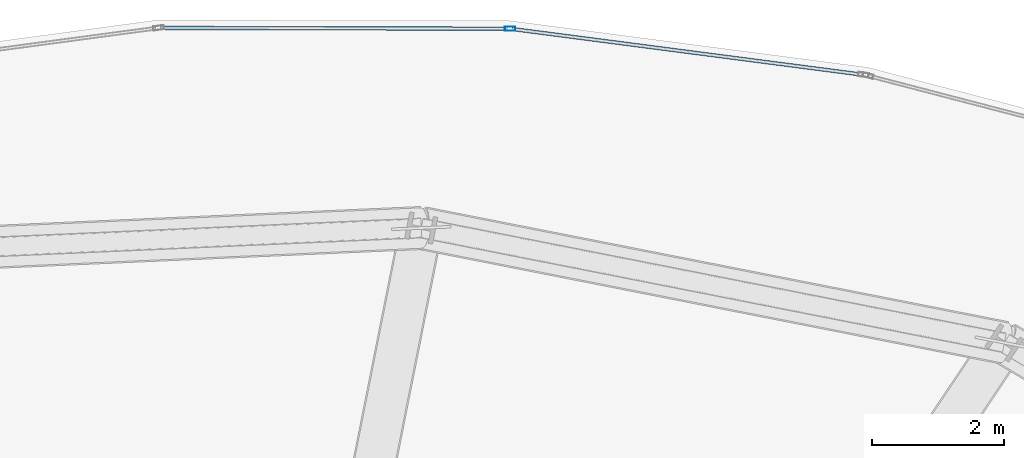
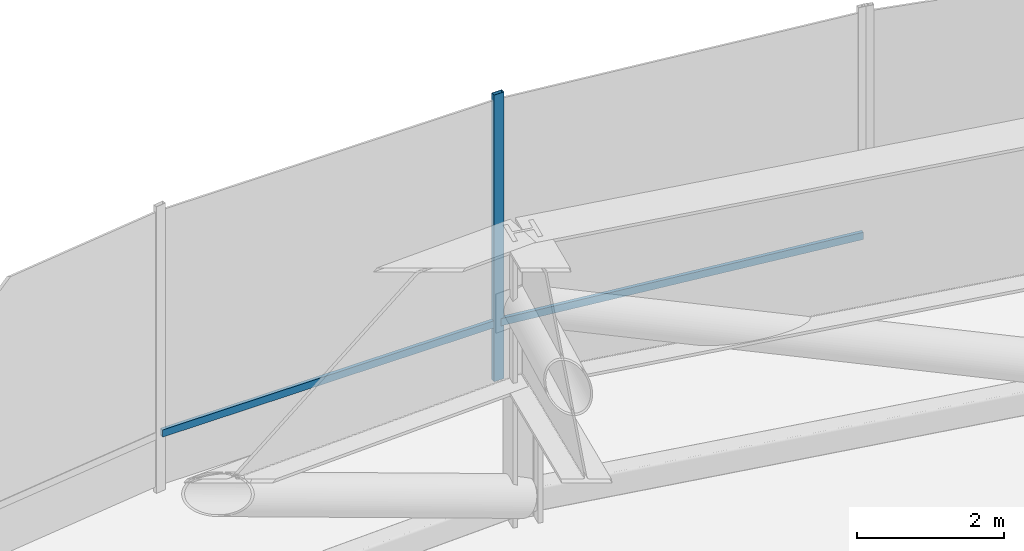
# One storey, part 25 of 33: 3 members, 1 element without a shape of its own.
"""IFC4 building model written with IfcOpenShell, lengths in metres."""

from ifc_helpers import new_model, si_unit, direction, frame, origin, origin_2d, place, context, subcontext, project, spatial, hollow_rectangle, extrude, source, transform, mapped, material, layer, layer_set, material_profile, profile_set, type_object, element, aggregate, save


model = new_model("IFC4")

# Units and contexts
model_context = context("Model", 3, precision=1e-05, world=origin(), true_north=direction((0.0, 1.0)))
body_context = subcontext(model_context, "Body", "Model", "MODEL_VIEW")
ifc_project = project(units=[si_unit("LENGTHUNIT", "METRE"), si_unit("AREAUNIT", "SQUARE_METRE"), si_unit("VOLUMEUNIT", "CUBIC_METRE"), si_unit("PLANEANGLEUNIT", "RADIAN"), si_unit("MASSUNIT", "GRAM", prefix="KILO"), si_unit("THERMODYNAMICTEMPERATUREUNIT", "KELVIN")], contexts=[model_context])

# Site, building, storey
site_placement = place(None, origin())
site = spatial("IfcSite", under=ifc_project, at=site_placement, CompositionType="ELEMENT")
building_placement = place(site_placement, origin())
building = spatial("IfcBuilding", under=site, at=building_placement, Name="Kethvar Cultural Tower", CompositionType="ELEMENT")
storey_placement = place(building_placement, frame((0.0, 0.0, 80.39990234375)))
storey = spatial("IfcBuildingStorey", under=building, at=storey_placement, Name="L19", CompositionType="ELEMENT", Elevation=80.39990234375)

# Curtain wall, members
ifc_material = material(Name="Aluminium 6063-T6", Category="aluminium")
ifc_layer = layer(ifc_material, 0.179931640625, Name="Aluminium 6063-T6", Category="aluminium")
ifc_layer_set = layer_set([ifc_layer], Name="Aluminium 6063-T6 (180 mm)")
curtain_wall_type = type_object("IfcCurtainWallType", Name="CW-SYS-02-Z1", PredefinedType="NOTDEFINED", material=ifc_layer_set)
curtain_wall_placement = place(storey_placement, origin())
curtain_wall = element("IfcCurtainWall", 1, at=curtain_wall_placement, inside=storey, type_object=curtain_wall_type, Name="L19 Curtain Wall Run 02", PredefinedType="NOTDEFINED")
ifc_material_profile_1 = material_profile(ifc_material, hollow_rectangle(XDim=0.06494140625, YDim=0.159912109375, WallThickness=0.0048828125, at=origin_2d()), Name="Aluminium 6063-T6 — RHS160x65x5")
ifc_profile_set_1 = profile_set([ifc_material_profile_1], Name="Aluminium 6063-T6 — RHS160x65x5")
member_type_1 = type_object("IfcMemberType", Name="CW-SYS-02-Z1-MUL", PredefinedType="MULLION", material=ifc_profile_set_1)
shared_shape_1 = source(origin(), body_context, "Body", "SweptSolid", [
    extrude(hollow_rectangle(XDim=0.06494140625, YDim=0.159912109375, WallThickness=0.0048828125, at=origin_2d()), origin(), (0.0, 0.0, 1.0), 4.760009765625),
])
member_1_placement = place(storey_placement, frame((52.364990234375, 52.034912109375, 0.0), z_axis=(0.0, 0.0, 1.0), x_axis=(-0.002129300078, -0.999997733038, 0.0)))
member_1 = element("IfcMember", 2, at=member_1_placement, type_object=member_type_1, Name="CW-L19-R02 Mullion 2", PredefinedType="MULLION", context=body_context, shape_type="MappedRepresentation", body=[
    mapped(shared_shape_1, transform((0.0, 0.0, 0.0), scale=1.0)),
])
ifc_material_profile_2 = material_profile(ifc_material, hollow_rectangle(XDim=0.054931640625, YDim=0.1201171875, WallThickness=0.00390625, at=origin_2d()), Name="Aluminium 6063-T6 — RHS120x55x4")
ifc_profile_set_2 = profile_set([ifc_material_profile_2], Name="Aluminium 6063-T6 — RHS120x55x4")
member_type_2 = type_object("IfcMemberType", Name="CW-SYS-02-Z1-TRN", PredefinedType="USERDEFINED", material=ifc_profile_set_2)
shared_shape_2 = source(origin(), body_context, "Body", "SweptSolid", [
    extrude(hollow_rectangle(XDim=0.054931640625, YDim=0.1201171875, WallThickness=0.00390625, at=origin_2d()), origin(), (0.0, 0.0, 1.0), 5.3427734375),
])
member_2_placement = place(storey_placement, frame((57.694091796875, 51.33935546875, 0.9501953125), z_axis=(-0.991614674699, 0.129229783412, 0.0), x_axis=(-0.129229783412, -0.991614674699, 0.0)))
member_2 = element("IfcMember", 3, at=member_2_placement, type_object=member_type_2, Name="CW-L19-R02 Transom 1", ObjectType="TRANSOM", PredefinedType="USERDEFINED", context=body_context, shape_type="MappedRepresentation", body=[
    mapped(shared_shape_2, transform((0.0, 0.0, 0.0), scale=1.0)),
])
shared_shape_3 = source(origin(), body_context, "Body", "SweptSolid", [
    extrude(hollow_rectangle(XDim=0.054931640625, YDim=0.1201171875, WallThickness=0.00390625, at=origin_2d()), origin(), (0.0, 0.0, 1.0), 5.23095703125),
])
member_3_placement = place(storey_placement, frame((52.318115234375, 52.034912109375, 0.9501953125), z_axis=(-0.999997794478, 0.002100247398, 0.0), x_axis=(-0.002100247398, -0.999997794478, 0.0)))
member_3 = element("IfcMember", 4, at=member_3_placement, type_object=member_type_2, Name="CW-L19-R02 Transom 2", ObjectType="TRANSOM", PredefinedType="USERDEFINED", context=body_context, shape_type="MappedRepresentation", body=[
    mapped(shared_shape_3, transform((0.0, 0.0, 0.0), scale=1.0)),
])
aggregate(curtain_wall, [member_1, member_2, member_3])

save(model, "model.ifc")
